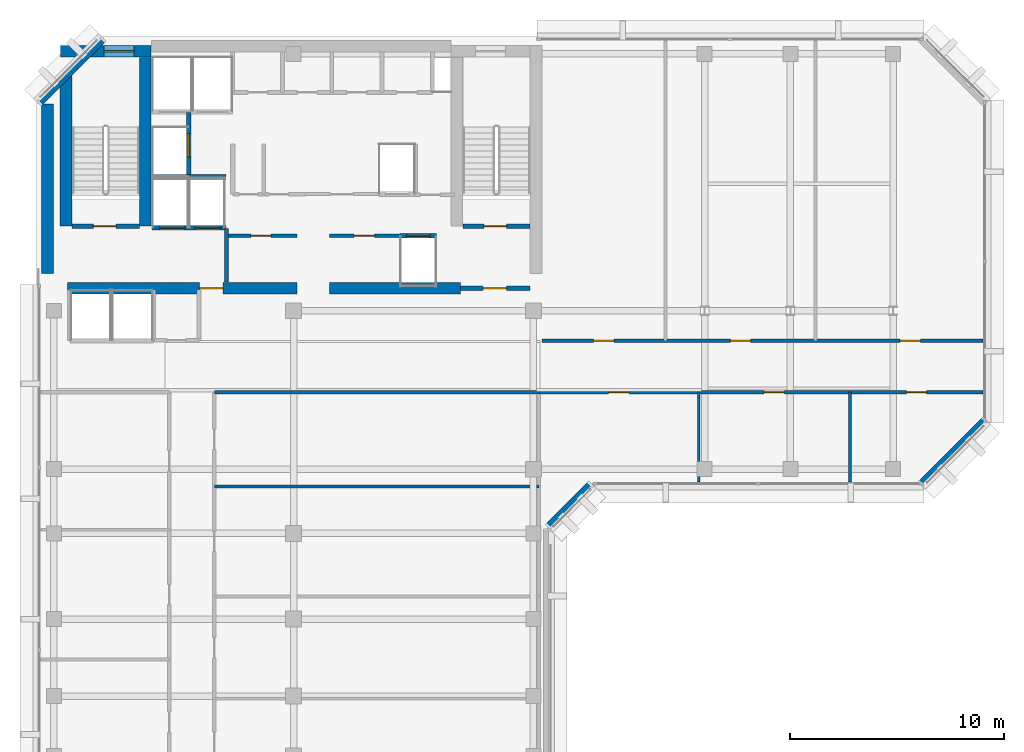
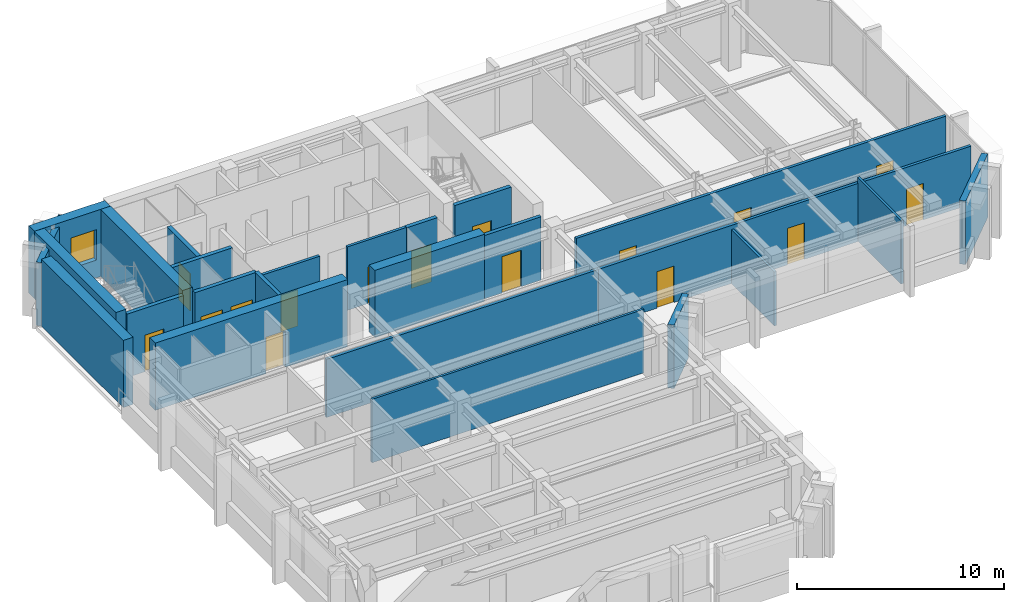
# One storey, part 7 of 12: 25 walls, 16 doors, 1 window, 17 openings.
"""IFC4 building model written with IfcOpenShell, lengths in metres."""

from ifc_helpers import new_model, si_unit, direction, frame, frame_2d, origin, place, context, subcontext, project, spatial, rectangle, extrude, material, layer, layer_set, type_object, element, fill, save


model = new_model("IFC4")

# Units and contexts
model_context = context("Model", 3, precision=1e-05, world=origin(), true_north=direction((0.0, 1.0)))
body_context = subcontext(model_context, "Body", "Model", "MODEL_VIEW")
ifc_project = project(units=[si_unit("LENGTHUNIT", "METRE"), si_unit("AREAUNIT", "SQUARE_METRE"), si_unit("VOLUMEUNIT", "CUBIC_METRE"), si_unit("PLANEANGLEUNIT", "RADIAN"), si_unit("MASSUNIT", "GRAM", prefix="KILO")], contexts=[model_context])

# Site, building, storey
site_placement = place(None, origin())
site = spatial("IfcSite", under=ifc_project, at=site_placement, CompositionType="ELEMENT")
building_placement = place(site_placement, origin())
building = spatial("IfcBuilding", under=site, at=building_placement, Name="Kefirva Bronze Tower", CompositionType="ELEMENT")
storey_placement = place(building_placement, frame((0.0, 0.0, 296.010009765625)))
storey = spatial("IfcBuildingStorey", under=building, at=storey_placement, Name="L72", CompositionType="ELEMENT", Elevation=296.010009765625)

# Walls
ifc_material_1 = material(Name="Gypsum acoustic partition")
ifc_layer_1 = layer(ifc_material_1, 0.1298828125, Name="Gypsum acoustic partition")
ifc_layer_set_1 = layer_set([ifc_layer_1], Name="Gypsum acoustic partition")
wall_type_1 = type_object("IfcWallType", Name="Acoustic Office Partition 130mm", PredefinedType="PARTITIONING", material=ifc_layer_set_1)
wall_1_placement = place(storey_placement, frame((8.300048828125, 24.99365234375, 0.0), z_axis=(0.0, 0.0, 1.0), x_axis=(1.0, 0.0, 0.0)))
element("IfcWall", 1, at=wall_1_placement, inside=storey, type_object=wall_type_1, Name="L72 Partition W-L72-SED3", PredefinedType="PARTITIONING", context=body_context, shape_type="SweptSolid", body=[
    extrude(rectangle(XDim=15.14990234375, YDim=0.1298828125, at=frame_2d((7.574951171875, 0.0))), origin(), (0.0, 0.0, 1.0), 3.739990234375),
])
wall_2_placement = place(storey_placement, frame((30.923583984375, 25.18994140625, 0.0), z_axis=(0.0, 0.0, 1.0), x_axis=(0.0, 1.0, 0.0)))
element("IfcWall", 2, at=wall_2_placement, inside=storey, type_object=wall_type_1, Name="L72 Partition W-L72-ESD1", PredefinedType="PARTITIONING", context=body_context, shape_type="SweptSolid", body=[
    extrude(rectangle(XDim=4.2099609375, YDim=0.1298828125, at=frame_2d((2.10498046875, 0.0))), origin(), (0.0, 0.0, 1.0), 3.175048828125),
])
wall_3_placement = place(storey_placement, frame((37.98193359375, 25.18994140625, 0.0), z_axis=(0.0, 0.0, 1.0), x_axis=(0.0, 1.0, 0.0)))
element("IfcWall", 3, at=wall_3_placement, inside=storey, type_object=wall_type_1, Name="L72 Partition W-L72-ESD2", PredefinedType="PARTITIONING", context=body_context, shape_type="SweptSolid", body=[
    extrude(rectangle(XDim=4.2099609375, YDim=0.1298828125, at=frame_2d((2.10498046875, 0.0))), origin(), (0.0, 0.0, 1.0), 3.739990234375),
])

# Wall, opening, door
ifc_layer_2 = layer(ifc_material_1, 0.14990234375, Name="Gypsum acoustic partition")
ifc_layer_set_2 = layer_set([ifc_layer_2], Name="Gypsum acoustic partition")
wall_type_2 = type_object("IfcWallType", Name="Executive Suite Partition 150mm", PredefinedType="PARTITIONING", material=ifc_layer_set_2)
wall_4_placement = place(storey_placement, frame((13.679931640625, 36.699951171875, 0.0), z_axis=(0.0, 0.0, 1.0), x_axis=(1.0, 0.0, 0.0)))
wall_4 = element("IfcWall", 4, at=wall_4_placement, inside=storey, type_object=wall_type_2, Name="L72 Partition W-L72-RECMP1", PredefinedType="PARTITIONING", context=body_context, shape_type="SweptSolid", body=[
    extrude(rectangle(XDim=3.280029296875, YDim=0.14990234375, at=frame_2d((1.64013671875, 0.0))), origin(), (0.0, 0.0, 1.0), 3.739990234375),
])
opening_1_placement = place(wall_4_placement, frame((1.14990234375, 0.0, 0.0)))
opening_1 = element("IfcOpeningElement", 5, at=opening_1_placement, cuts=wall_4, Name="Opening L72-D-RECMP1", PredefinedType="OPENING", context=body_context, shape_type="SweptSolid", body=[
    extrude(rectangle(XDim=0.949951171875, YDim=2.14990234375, at=frame_2d((0.47509765625, 1.074951171875))), frame((0.0, 0.0849609375, 0.0), z_axis=(0.0, -1.0, 0.0), x_axis=(1.0, 0.0, 0.0)), (0.0, 0.0, 1.0), 0.169921875),
])
ifc_material_2 = material(Name="Acoustic hardwood oak", Category="wood")
door_type_1 = type_object("IfcDoorType", Name="Office & Meeting Room Door 950x2150", OperationType="NOTDEFINED", PredefinedType="DOOR", material=ifc_material_2)
door_1_placement = place(opening_1_placement, origin())
door_1 = element("IfcDoor", 6, at=door_1_placement, inside=storey, type_object=door_type_1, Name="Door L72-D-RECMP1", OperationType="SINGLE_SWING_LEFT", OverallHeight=2.14990234375, OverallWidth=0.949951171875, PredefinedType="DOOR", context=body_context, shape_type="SweptSolid", body=[
    extrude(rectangle(XDim=0.949951171875, YDim=2.14990234375, at=frame_2d((0.47509765625, 1.074951171875))), frame((0.0, 0.02490234375, 0.0), z_axis=(0.0, -1.0, 0.0), x_axis=(1.0, 0.0, 0.0)), (0.0, 0.0, 1.0), 0.050048828125),
])
fill(opening_1, door_1)

ifc_material_3 = material(Name="Gypsum fireboard shaftwall")
ifc_layer_3 = layer(ifc_material_3, 0.219970703125, Name="Gypsum fireboard shaftwall")
ifc_layer_set_3 = layer_set([ifc_layer_3], Name="Gypsum fireboard shaftwall")
wall_type_3 = type_object("IfcWallType", Name="Fire-Rated Shaft Enclosure Wall 220mm", PredefinedType="PARTITIONING", material=ifc_layer_set_3)
wall_5_placement = place(storey_placement, frame((1.64990234375, 37.14990234375, 0.0), z_axis=(0.0, 0.0, 1.0), x_axis=(1.0, 0.0, 0.0)))
wall_5 = element("IfcWall", 7, at=wall_5_placement, inside=storey, type_object=wall_type_3, Name="L72 Partition W-L72-ST1S", PredefinedType="PARTITIONING", context=body_context, shape_type="SweptSolid", body=[
    extrude(rectangle(XDim=3.150146484375, YDim=0.219970703125, at=frame_2d((1.5751953125, 0.0))), origin(), (0.0, 0.0, 1.0), 3.739990234375),
])
opening_2_placement = place(wall_5_placement, frame((2.050048828125, 0.0, 0.0), z_axis=(0.0, 0.0, 1.0), x_axis=(-1.0, 0.0, 0.0)))
opening_2 = element("IfcOpeningElement", 8, at=opening_2_placement, cuts=wall_5, Name="Opening L72-D001", PredefinedType="OPENING", context=body_context, shape_type="SweptSolid", body=[
    extrude(rectangle(XDim=1.050048828125, YDim=2.14990234375, at=frame_2d((0.52490234375, 1.074951171875))), frame((0.0, 0.1201171875, 0.0), z_axis=(0.0, -1.0, 0.0), x_axis=(1.0, 0.0, 0.0)), (0.0, 0.0, 1.0), 0.239990234375),
])
ifc_material_4 = material(Name="Painted galvanized steel", Category="steel")
door_type_2 = type_object("IfcDoorType", Name="Fire Stair Enclosure Door 1050x2150 FD90S", OperationType="NOTDEFINED", PredefinedType="DOOR", material=ifc_material_4)
door_2_placement = place(opening_2_placement, origin())
door_2 = element("IfcDoor", 9, at=door_2_placement, inside=storey, type_object=door_type_2, Name="Door L72-D001", OperationType="SINGLE_SWING_RIGHT", OverallHeight=2.14990234375, OverallWidth=1.050048828125, PredefinedType="DOOR", context=body_context, shape_type="SweptSolid", body=[
    extrude(rectangle(XDim=1.050048828125, YDim=2.14990234375, at=frame_2d((0.52490234375, 1.074951171875))), frame((0.0, 0.02490234375, 0.0), z_axis=(0.0, -1.0, 0.0), x_axis=(1.0, 0.0, 0.0)), (0.0, 0.0, 1.0), 0.050048828125),
])
fill(opening_2, door_2)

wall_6_placement = place(storey_placement, frame((19.89990234375, 37.14990234375, 0.0), z_axis=(0.0, 0.0, 1.0), x_axis=(1.0, 0.0, 0.0)))
wall_6 = element("IfcWall", 10, at=wall_6_placement, inside=storey, type_object=wall_type_3, Name="L72 Partition W-L72-ST2S", PredefinedType="PARTITIONING", context=body_context, shape_type="SweptSolid", body=[
    extrude(rectangle(XDim=3.150146484375, YDim=0.219970703125, at=frame_2d((1.5751953125, 0.0))), origin(), (0.0, 0.0, 1.0), 3.739990234375),
])
opening_3_placement = place(wall_6_placement, frame((2.050048828125, 0.0, 0.0), z_axis=(0.0, 0.0, 1.0), x_axis=(-1.0, 0.0, 0.0)))
opening_3 = element("IfcOpeningElement", 11, at=opening_3_placement, cuts=wall_6, Name="Opening L72-D003", PredefinedType="OPENING", context=body_context, shape_type="SweptSolid", body=[
    extrude(rectangle(XDim=1.050048828125, YDim=2.14990234375, at=frame_2d((0.52490234375, 1.074951171875))), frame((0.0, 0.1201171875, 0.0), z_axis=(0.0, -1.0, 0.0), x_axis=(1.0, 0.0, 0.0)), (0.0, 0.0, 1.0), 0.239990234375),
])
door_3_placement = place(opening_3_placement, origin())
door_3 = element("IfcDoor", 12, at=door_3_placement, inside=storey, type_object=door_type_2, Name="Door L72-D003", OperationType="SINGLE_SWING_RIGHT", OverallHeight=2.14990234375, OverallWidth=1.050048828125, PredefinedType="DOOR", context=body_context, shape_type="SweptSolid", body=[
    extrude(rectangle(XDim=1.050048828125, YDim=2.14990234375, at=frame_2d((0.52490234375, 1.074951171875))), frame((0.0, 0.02490234375, 0.0), z_axis=(0.0, -1.0, 0.0), x_axis=(1.0, 0.0, 0.0)), (0.0, 0.0, 1.0), 0.050048828125),
])
fill(opening_3, door_3)

# Wall, openings, doors
wall_7_placement = place(storey_placement, frame((5.3798828125, 37.080078125, 0.0), z_axis=(0.0, 0.0, 1.0), x_axis=(1.0, 0.0, 0.0)))
wall_7 = element("IfcWall", 13, at=wall_7_placement, inside=storey, type_object=wall_type_3, Name="L72 Partition W-L72-FFS", PredefinedType="PARTITIONING", context=body_context, shape_type="SweptSolid", body=[
    extrude(rectangle(XDim=3.460205078125, YDim=0.219970703125, at=frame_2d((1.72998046875, 0.0))), origin(), (0.0, 0.0, 1.0), 3.739990234375),
])
opening_4_placement = place(wall_7_placement, frame((1.550048828125, 0.0, 0.0), z_axis=(0.0, 0.0, 1.0), x_axis=(-1.0, 0.0, 0.0)))
opening_4 = element("IfcOpeningElement", 14, at=opening_4_placement, cuts=wall_7, Name="Opening L72-LD-FF1", PredefinedType="OPENING", context=body_context, shape_type="SweptSolid", body=[
    extrude(rectangle(XDim=1.199951171875, YDim=2.199951171875, at=frame_2d((0.60009765625, 1.10009765625))), frame((0.0, 0.1201171875, 0.0), z_axis=(0.0, -1.0, 0.0), x_axis=(1.0, 0.0, 0.0)), (0.0, 0.0, 1.0), 0.239990234375),
])
opening_5_placement = place(wall_7_placement, frame((3.219970703125, 0.0, 0.0), z_axis=(0.0, 0.0, 1.0), x_axis=(-1.0, 0.0, 0.0)))
opening_5 = element("IfcOpeningElement", 15, at=opening_5_placement, cuts=wall_7, Name="Opening L72-LD-FF2", PredefinedType="OPENING", context=body_context, shape_type="SweptSolid", body=[
    extrude(rectangle(XDim=1.199951171875, YDim=2.199951171875, at=frame_2d((0.60009765625, 1.10009765625))), frame((0.0, 0.1201171875, 0.0), z_axis=(0.0, -1.0, 0.0), x_axis=(1.0, 0.0, 0.0)), (0.0, 0.0, 1.0), 0.239990234375),
])
ifc_material_5 = material(Name="Stainless steel 316", Category="steel")
door_type_3 = type_object("IfcDoorType", Name="Firefighting Lift Sliding Door 1200x2200", OperationType="SLIDING_TO_RIGHT", PredefinedType="DOOR", material=ifc_material_5)
door_4_placement = place(opening_4_placement, origin())
door_4 = element("IfcDoor", 16, at=door_4_placement, inside=storey, type_object=door_type_3, Name="Door L72-LD-FF1", OperationType="SLIDING_TO_RIGHT", OverallHeight=2.199951171875, OverallWidth=1.199951171875, PredefinedType="DOOR", context=body_context, shape_type="SweptSolid", body=[
    extrude(rectangle(XDim=1.199951171875, YDim=2.199951171875, at=frame_2d((0.60009765625, 1.10009765625))), frame((0.0, 0.02490234375, 0.0), z_axis=(0.0, -1.0, 0.0), x_axis=(1.0, 0.0, 0.0)), (0.0, 0.0, 1.0), 0.050048828125),
])
fill(opening_4, door_4)
door_5_placement = place(opening_5_placement, origin())
door_5 = element("IfcDoor", 17, at=door_5_placement, inside=storey, type_object=door_type_3, Name="Door L72-LD-FF2", OperationType="SLIDING_TO_RIGHT", OverallHeight=2.199951171875, OverallWidth=1.199951171875, PredefinedType="DOOR", context=body_context, shape_type="SweptSolid", body=[
    extrude(rectangle(XDim=1.199951171875, YDim=2.199951171875, at=frame_2d((0.60009765625, 1.10009765625))), frame((0.0, 0.02490234375, 0.0), z_axis=(0.0, -1.0, 0.0), x_axis=(1.0, 0.0, 0.0)), (0.0, 0.0, 1.0), 0.050048828125),
])
fill(opening_5, door_5)

# Wall
wall_8_placement = place(storey_placement, frame((5.3798828125, 39.449951171875, 0.0), z_axis=(0.0, 0.0, 1.0), x_axis=(1.0, 0.0, 0.0)))
element("IfcWall", 18, at=wall_8_placement, inside=storey, type_object=wall_type_3, Name="L72 Partition W-L72-FFN", PredefinedType="PARTITIONING", context=body_context, shape_type="SweptSolid", body=[
    extrude(rectangle(XDim=3.460205078125, YDim=0.219970703125, at=frame_2d((1.72998046875, 0.0))), origin(), (0.0, 0.0, 1.0), 3.739990234375),
])

# Wall, opening, door
wall_9_placement = place(storey_placement, frame((7.10009765625, 39.52001953125, 0.0), z_axis=(0.0, 0.0, 1.0), x_axis=(0.0, 1.0, 0.0)))
wall_9 = element("IfcWall", 19, at=wall_9_placement, inside=storey, type_object=wall_type_3, Name="L72 Partition W-L72-HP3E", PredefinedType="PARTITIONING", context=body_context, shape_type="SweptSolid", body=[
    extrude(rectangle(XDim=2.929931640625, YDim=0.219970703125, at=frame_2d((1.46484375, 0.0))), origin(), (0.0, 0.0, 1.0), 3.739990234375),
])
opening_6_placement = place(wall_9_placement, frame((0.85009765625, 0.0, 0.0)))
opening_6 = element("IfcOpeningElement", 20, at=opening_6_placement, cuts=wall_9, Name="Opening L72-LD-HP3", PredefinedType="OPENING", context=body_context, shape_type="SweptSolid", body=[
    extrude(rectangle(XDim=1.10009765625, YDim=2.199951171875, at=frame_2d((0.550048828125, 1.10009765625))), frame((0.0, 0.1201171875, 0.0), z_axis=(0.0, -1.0, 0.0), x_axis=(1.0, 0.0, 0.0)), (0.0, 0.0, 1.0), 0.239990234375),
])
door_type_4 = type_object("IfcDoorType", Name="Passenger Lift Sliding Landing Door 1100x2200", OperationType="SLIDING_TO_LEFT", PredefinedType="DOOR", material=ifc_material_5)
door_6_placement = place(opening_6_placement, origin())
door_6 = element("IfcDoor", 21, at=door_6_placement, inside=storey, type_object=door_type_4, Name="Door L72-LD-HP3", OperationType="SLIDING_TO_LEFT", OverallHeight=2.199951171875, OverallWidth=1.10009765625, PredefinedType="DOOR", context=body_context, shape_type="SweptSolid", body=[
    extrude(rectangle(XDim=1.10009765625, YDim=2.199951171875, at=frame_2d((0.550048828125, 1.10009765625))), frame((0.0, 0.02490234375, 0.0), z_axis=(0.0, -1.0, 0.0), x_axis=(1.0, 0.0, 0.0)), (0.0, 0.0, 1.0), 0.050048828125),
])
fill(opening_6, door_6)

wall_10_placement = place(storey_placement, frame((16.97998046875, 36.699951171875, 0.0), z_axis=(0.0, 0.0, 1.0), x_axis=(1.0, 0.0, 0.0)))
wall_10 = element("IfcWall", 22, at=wall_10_placement, inside=storey, type_object=wall_type_3, Name="L72 Partition W-L72-HPS", PredefinedType="PARTITIONING", context=body_context, shape_type="SweptSolid", body=[
    extrude(rectangle(XDim=1.699951171875, YDim=0.219970703125, at=frame_2d((0.85009765625, 0.0))), origin(), (0.0, 0.0, 1.0), 3.739990234375),
])
opening_7_placement = place(wall_10_placement, frame((0.300048828125, 0.0, 0.0)))
opening_7 = element("IfcOpeningElement", 23, at=opening_7_placement, cuts=wall_10, Name="Opening L72-LD-HP1", PredefinedType="OPENING", context=body_context, shape_type="SweptSolid", body=[
    extrude(rectangle(XDim=1.10009765625, YDim=2.199951171875, at=frame_2d((0.550048828125, 1.10009765625))), frame((0.0, 0.1201171875, 0.0), z_axis=(0.0, -1.0, 0.0), x_axis=(1.0, 0.0, 0.0)), (0.0, 0.0, 1.0), 0.239990234375),
])
door_7_placement = place(opening_7_placement, origin())
door_7 = element("IfcDoor", 24, at=door_7_placement, inside=storey, type_object=door_type_4, Name="Door L72-LD-HP1", OperationType="SLIDING_TO_LEFT", OverallHeight=2.199951171875, OverallWidth=1.10009765625, PredefinedType="DOOR", context=body_context, shape_type="SweptSolid", body=[
    extrude(rectangle(XDim=1.10009765625, YDim=2.199951171875, at=frame_2d((0.550048828125, 1.10009765625))), frame((0.0, 0.02490234375, 0.0), z_axis=(0.0, -1.0, 0.0), x_axis=(1.0, 0.0, 0.0)), (0.0, 0.0, 1.0), 0.050048828125),
])
fill(opening_7, door_7)

# Wall
ifc_material_6 = material(Name="Gypsum fireboard barrier")
ifc_layer_4 = layer(ifc_material_6, 0.199951171875, Name="Gypsum fireboard barrier")
ifc_layer_set_4 = layer_set([ifc_layer_4], Name="Gypsum fireboard barrier")
wall_type_4 = type_object("IfcWallType", Name="Firefighting Lobby Barrier Wall 200mm", PredefinedType="PARTITIONING", material=ifc_layer_set_4)
wall_11_placement = place(storey_placement, frame((8.860107421875, 34.550048828125, 0.0), z_axis=(0.0, 0.0, 1.0), x_axis=(0.0, 1.0, 0.0)))
element("IfcWall", 25, at=wall_11_placement, inside=storey, type_object=wall_type_4, Name="L72 Partition W-L72-FFLE", PredefinedType="PARTITIONING", context=body_context, shape_type="SweptSolid", body=[
    extrude(rectangle(XDim=2.5, YDim=0.199951171875, at=frame_2d((1.25, 0.0))), origin(), (0.0, 0.0, 1.0), 3.739990234375),
])

# Wall, opening, door
wall_12_placement = place(storey_placement, frame((19.800048828125, 34.25, 0.0), z_axis=(0.0, 0.0, 1.0), x_axis=(1.0, 0.0, 0.0)))
wall_12 = element("IfcWall", 26, at=wall_12_placement, inside=storey, type_object=wall_type_4, Name="L72 Partition W-L72-ST2F", PredefinedType="PARTITIONING", context=body_context, shape_type="SweptSolid", body=[
    extrude(rectangle(XDim=3.25, YDim=0.199951171875, at=frame_2d((1.625, 0.0))), origin(), (0.0, 0.0, 1.0), 3.739990234375),
])
opening_8_placement = place(wall_12_placement, frame((2.150146484375, 0.0, 0.0), z_axis=(0.0, 0.0, 1.0), x_axis=(-1.0, 0.0, 0.0)))
opening_8 = element("IfcOpeningElement", 27, at=opening_8_placement, cuts=wall_12, Name="Opening L72-D004", PredefinedType="OPENING", context=body_context, shape_type="SweptSolid", body=[
    extrude(rectangle(XDim=1.10009765625, YDim=2.14990234375, at=frame_2d((0.550048828125, 1.074951171875))), frame((0.0, 0.10986328125, 0.0), z_axis=(0.0, -1.0, 0.0), x_axis=(1.0, 0.0, 0.0)), (0.0, 0.0, 1.0), 0.219970703125),
])
door_type_5 = type_object("IfcDoorType", Name="Firefighting Lobby Smoke Door 1100x2150 FD60S", OperationType="NOTDEFINED", PredefinedType="DOOR", material=ifc_material_4)
door_8_placement = place(opening_8_placement, origin())
door_8 = element("IfcDoor", 28, at=door_8_placement, inside=storey, type_object=door_type_5, Name="Door L72-D004", OperationType="SINGLE_SWING_LEFT", OverallHeight=2.14990234375, OverallWidth=1.10009765625, PredefinedType="DOOR", context=body_context, shape_type="SweptSolid", body=[
    extrude(rectangle(XDim=1.10009765625, YDim=2.14990234375, at=frame_2d((0.550048828125, 1.074951171875))), frame((0.0, 0.02490234375, 0.0), z_axis=(0.0, -1.0, 0.0), x_axis=(1.0, 0.0, 0.0)), (0.0, 0.0, 1.0), 0.050048828125),
])
fill(opening_8, door_8)

# Walls
ifc_material_7 = material(Name="Precast concrete C40/50", Category="concrete")
ifc_layer_5 = layer(ifc_material_7, 0.320068359375, Name="Precast concrete C40/50")
ifc_layer_set_5 = layer_set([ifc_layer_5], Name="Precast concrete C40/50")
wall_type_5 = type_object("IfcWallType", Name="Precast Insulated Exterior Wall 320mm", PredefinedType="SOLIDWALL", material=ifc_layer_set_5)
wall_13_placement = place(storey_placement, frame((23.92578125, 23.152099609375, 0.0), z_axis=(0.0, 0.0, 1.0), x_axis=(0.707106781187, 0.707106781187, 0.0)))
element("IfcWall", 29, at=wall_13_placement, inside=storey, type_object=wall_type_5, Name="L72 Exterior Facade Wall 6", PredefinedType="SOLIDWALL", context=body_context, shape_type="SweptSolid", body=[
    extrude(rectangle(XDim=2.71826171875, YDim=0.320068359375, at=frame_2d((1.359130859375, 0.0))), origin(), (0.0, 0.0, 1.0), 3.739990234375),
])
for number, where, z_axis, x_axis, name in (
    (30, (41.32568359375, 25.152099609375, 0.0), (0.0, 0.0, 1.0), (0.707136318428, 0.707077242712, 0.0), "L72 Exterior Facade Wall 7"),
    (31, (3.07421875, 45.847900390625, 0.0), (0.0, 0.0, 1.0), (-0.707106781187, -0.707106781187, 0.0), "L72 Exterior Facade Wall 9"),
):
    element("IfcWall", number, at=place(storey_placement, frame(where, z_axis=z_axis, x_axis=x_axis)), inside=storey, type_object=wall_type_5, Name=name, PredefinedType="SOLIDWALL", context=body_context, shape_type="SweptSolid", body=[
        extrude(rectangle(XDim=4.132568359375, YDim=0.320068359375, at=frame_2d((2.06640625, 0.0))), origin(), (0.0, 0.0, 1.0), 3.739990234375),
    ])

# Wall, opening, door
ifc_layer_6 = layer(ifc_material_1, 0.159912109375, Name="Gypsum acoustic partition")
ifc_layer_set_6 = layer_set([ifc_layer_6], Name="Gypsum acoustic partition")
wall_type_6 = type_object("IfcWallType", Name="Protected Corridor Partition 160mm", PredefinedType="PARTITIONING", material=ifc_layer_set_6)
wall_14_placement = place(storey_placement, frame((8.89990234375, 36.699951171875, 0.0), z_axis=(0.0, 0.0, 1.0), x_axis=(1.0, 0.0, 0.0)))
wall_14 = element("IfcWall", 32, at=wall_14_placement, inside=storey, type_object=wall_type_6, Name="L72 Partition W-L72-RECLP1", PredefinedType="PARTITIONING", context=body_context, shape_type="SweptSolid", body=[
    extrude(rectangle(XDim=3.25, YDim=0.159912109375, at=frame_2d((1.625, 0.0))), origin(), (0.0, 0.0, 1.0), 3.739990234375),
])
opening_9_placement = place(wall_14_placement, frame((1.10009765625, 0.0, 0.0)))
opening_9 = element("IfcOpeningElement", 33, at=opening_9_placement, cuts=wall_14, Name="Opening L72-D-RECLP1", PredefinedType="OPENING", context=body_context, shape_type="SweptSolid", body=[
    extrude(rectangle(XDim=0.949951171875, YDim=2.14990234375, at=frame_2d((0.47509765625, 1.074951171875))), frame((0.0, 0.08984375, 0.0), z_axis=(0.0, -1.0, 0.0), x_axis=(1.0, 0.0, 0.0)), (0.0, 0.0, 1.0), 0.179931640625),
])
door_9_placement = place(opening_9_placement, origin())
door_9 = element("IfcDoor", 34, at=door_9_placement, inside=storey, type_object=door_type_1, Name="Door L72-D-RECLP1", OperationType="SINGLE_SWING_RIGHT", OverallHeight=2.14990234375, OverallWidth=0.949951171875, PredefinedType="DOOR", context=body_context, shape_type="SweptSolid", body=[
    extrude(rectangle(XDim=0.949951171875, YDim=2.14990234375, at=frame_2d((0.47509765625, 1.074951171875))), frame((0.0, 0.02490234375, 0.0), z_axis=(0.0, -1.0, 0.0), x_axis=(1.0, 0.0, 0.0)), (0.0, 0.0, 1.0), 0.050048828125),
])
fill(opening_9, door_9)

# Wall
wall_15_placement = place(storey_placement, frame((8.300048828125, 29.39990234375, 0.0), z_axis=(0.0, 0.0, 1.0), x_axis=(1.0, 0.0, 0.0)))
element("IfcWall", 35, at=wall_15_placement, inside=storey, type_object=wall_type_6, Name="L72 Partition W-L72-NET", PredefinedType="PARTITIONING", context=body_context, shape_type="SweptSolid", body=[
    extrude(rectangle(XDim=15.14990234375, YDim=0.159912109375, at=frame_2d((7.574951171875, 0.0))), origin(), (0.0, 0.0, 1.0), 3.425048828125),
])

# Wall, openings, doors
wall_16_placement = place(storey_placement, frame((23.449951171875, 29.39990234375, 0.0), z_axis=(0.0, 0.0, 1.0), x_axis=(1.0, 0.0, 0.0)))
wall_16 = element("IfcWall", 36, at=wall_16_placement, inside=storey, type_object=wall_type_6, Name="L72 Partition W-L72-EWS", PredefinedType="PARTITIONING", context=body_context, shape_type="SweptSolid", body=[
    extrude(rectangle(XDim=20.760009765625, YDim=0.159912109375, at=frame_2d((10.3798828125, 0.0))), origin(), (0.0, 0.0, 1.0), 3.425048828125),
])
opening_10_placement = place(wall_16_placement, frame((4.211669921875, 0.0, 0.0), z_axis=(0.0, 0.0, 1.0), x_axis=(-1.0, 0.0, 0.0)))
opening_10 = element("IfcOpeningElement", 37, at=opening_10_placement, cuts=wall_16, Name="Opening L72-D-ES1", PredefinedType="OPENING", context=body_context, shape_type="SweptSolid", body=[
    extrude(rectangle(XDim=0.949951171875, YDim=2.14990234375, at=frame_2d((0.47509765625, 1.074951171875))), frame((0.0, 0.08984375, 0.0), z_axis=(0.0, -1.0, 0.0), x_axis=(1.0, 0.0, 0.0)), (0.0, 0.0, 1.0), 0.179931640625),
])
opening_11_placement = place(wall_16_placement, frame((11.477783203125, 0.0, 0.0), z_axis=(0.0, 0.0, 1.0), x_axis=(-1.0, 0.0, 0.0)))
opening_11 = element("IfcOpeningElement", 38, at=opening_11_placement, cuts=wall_16, Name="Opening L72-D-ES2", PredefinedType="OPENING", context=body_context, shape_type="SweptSolid", body=[
    extrude(rectangle(XDim=0.949951171875, YDim=2.14990234375, at=frame_2d((0.47509765625, 1.074951171875))), frame((0.0, 0.08984375, 0.0), z_axis=(0.0, -1.0, 0.0), x_axis=(1.0, 0.0, 0.0)), (0.0, 0.0, 1.0), 0.179931640625),
])
opening_12_placement = place(wall_16_placement, frame((18.120849609375, 0.0, 0.0), z_axis=(0.0, 0.0, 1.0), x_axis=(-1.0, 0.0, 0.0)))
opening_12 = element("IfcOpeningElement", 39, at=opening_12_placement, cuts=wall_16, Name="Opening L72-D-ES3", PredefinedType="OPENING", context=body_context, shape_type="SweptSolid", body=[
    extrude(rectangle(XDim=0.949951171875, YDim=2.14990234375, at=frame_2d((0.47509765625, 1.074951171875))), frame((0.0, 0.08984375, 0.0), z_axis=(0.0, -1.0, 0.0), x_axis=(1.0, 0.0, 0.0)), (0.0, 0.0, 1.0), 0.179931640625),
])
door_10_placement = place(opening_10_placement, origin())
door_10 = element("IfcDoor", 40, at=door_10_placement, inside=storey, type_object=door_type_1, Name="Door L72-D-ES1", OperationType="SINGLE_SWING_LEFT", OverallHeight=2.14990234375, OverallWidth=0.949951171875, PredefinedType="DOOR", context=body_context, shape_type="SweptSolid", body=[
    extrude(rectangle(XDim=0.949951171875, YDim=2.14990234375, at=frame_2d((0.47509765625, 1.074951171875))), frame((0.0, 0.02490234375, 0.0), z_axis=(0.0, -1.0, 0.0), x_axis=(1.0, 0.0, 0.0)), (0.0, 0.0, 1.0), 0.050048828125),
])
fill(opening_10, door_10)
door_11_placement = place(opening_11_placement, origin())
door_11 = element("IfcDoor", 41, at=door_11_placement, inside=storey, type_object=door_type_1, Name="Door L72-D-ES2", OperationType="SINGLE_SWING_RIGHT", OverallHeight=2.14990234375, OverallWidth=0.949951171875, PredefinedType="DOOR", context=body_context, shape_type="SweptSolid", body=[
    extrude(rectangle(XDim=0.949951171875, YDim=2.14990234375, at=frame_2d((0.47509765625, 1.074951171875))), frame((0.0, 0.02490234375, 0.0), z_axis=(0.0, -1.0, 0.0), x_axis=(1.0, 0.0, 0.0)), (0.0, 0.0, 1.0), 0.050048828125),
])
fill(opening_11, door_11)
door_12_placement = place(opening_12_placement, origin())
door_12 = element("IfcDoor", 42, at=door_12_placement, inside=storey, type_object=door_type_1, Name="Door L72-D-ES3", OperationType="SINGLE_SWING_LEFT", OverallHeight=2.14990234375, OverallWidth=0.949951171875, PredefinedType="DOOR", context=body_context, shape_type="SweptSolid", body=[
    extrude(rectangle(XDim=0.949951171875, YDim=2.14990234375, at=frame_2d((0.47509765625, 1.074951171875))), frame((0.0, 0.02490234375, 0.0), z_axis=(0.0, -1.0, 0.0), x_axis=(1.0, 0.0, 0.0)), (0.0, 0.0, 1.0), 0.050048828125),
])
fill(opening_12, door_12)

wall_17_placement = place(storey_placement, frame((23.60009765625, 31.800048828125, 0.0), z_axis=(0.0, 0.0, 1.0), x_axis=(1.0, 0.0, 0.0)))
wall_17 = element("IfcWall", 43, at=wall_17_placement, inside=storey, type_object=wall_type_6, Name="L72 Partition W-L72-EWN", PredefinedType="PARTITIONING", context=body_context, shape_type="SweptSolid", body=[
    extrude(rectangle(XDim=20.60986328125, YDim=0.159912109375, at=frame_2d((10.304931640625, 0.0))), origin(), (0.0, 0.0, 1.0), 3.739990234375),
])
opening_13_placement = place(wall_17_placement, frame((2.410400390625, 0.0, 0.0)))
opening_13 = element("IfcOpeningElement", 44, at=opening_13_placement, cuts=wall_17, Name="Opening L72-D-EN1", PredefinedType="OPENING", context=body_context, shape_type="SweptSolid", body=[
    extrude(rectangle(XDim=0.949951171875, YDim=2.14990234375, at=frame_2d((0.47509765625, 1.074951171875))), frame((0.0, 0.08984375, 0.0), z_axis=(0.0, -1.0, 0.0), x_axis=(1.0, 0.0, 0.0)), (0.0, 0.0, 1.0), 0.179931640625),
])
opening_14_placement = place(wall_17_placement, frame((8.799560546875, 0.0, 0.0)))
opening_14 = element("IfcOpeningElement", 45, at=opening_14_placement, cuts=wall_17, Name="Opening L72-D-EN2", PredefinedType="OPENING", context=body_context, shape_type="SweptSolid", body=[
    extrude(rectangle(XDim=0.949951171875, YDim=2.14990234375, at=frame_2d((0.47509765625, 1.074951171875))), frame((0.0, 0.08984375, 0.0), z_axis=(0.0, -1.0, 0.0), x_axis=(1.0, 0.0, 0.0)), (0.0, 0.0, 1.0), 0.179931640625),
])
opening_15_placement = place(wall_17_placement, frame((16.718994140625, 0.0, 0.0)))
opening_15 = element("IfcOpeningElement", 46, at=opening_15_placement, cuts=wall_17, Name="Opening L72-D-EN3", PredefinedType="OPENING", context=body_context, shape_type="SweptSolid", body=[
    extrude(rectangle(XDim=0.949951171875, YDim=2.14990234375, at=frame_2d((0.47509765625, 1.074951171875))), frame((0.0, 0.08984375, 0.0), z_axis=(0.0, -1.0, 0.0), x_axis=(1.0, 0.0, 0.0)), (0.0, 0.0, 1.0), 0.179931640625),
])
door_13_placement = place(opening_13_placement, origin())
door_13 = element("IfcDoor", 47, at=door_13_placement, inside=storey, type_object=door_type_1, Name="Door L72-D-EN1", OperationType="SINGLE_SWING_RIGHT", OverallHeight=2.14990234375, OverallWidth=0.949951171875, PredefinedType="DOOR", context=body_context, shape_type="SweptSolid", body=[
    extrude(rectangle(XDim=0.949951171875, YDim=2.14990234375, at=frame_2d((0.47509765625, 1.074951171875))), frame((0.0, 0.02490234375, 0.0), z_axis=(0.0, -1.0, 0.0), x_axis=(1.0, 0.0, 0.0)), (0.0, 0.0, 1.0), 0.050048828125),
])
fill(opening_13, door_13)
door_14_placement = place(opening_14_placement, origin())
door_14 = element("IfcDoor", 48, at=door_14_placement, inside=storey, type_object=door_type_1, Name="Door L72-D-EN2", OperationType="SINGLE_SWING_LEFT", OverallHeight=2.14990234375, OverallWidth=0.949951171875, PredefinedType="DOOR", context=body_context, shape_type="SweptSolid", body=[
    extrude(rectangle(XDim=0.949951171875, YDim=2.14990234375, at=frame_2d((0.47509765625, 1.074951171875))), frame((0.0, 0.02490234375, 0.0), z_axis=(0.0, -1.0, 0.0), x_axis=(1.0, 0.0, 0.0)), (0.0, 0.0, 1.0), 0.050048828125),
])
fill(opening_14, door_14)
door_15_placement = place(opening_15_placement, origin())
door_15 = element("IfcDoor", 49, at=door_15_placement, inside=storey, type_object=door_type_1, Name="Door L72-D-EN3", OperationType="SINGLE_SWING_RIGHT", OverallHeight=2.14990234375, OverallWidth=0.949951171875, PredefinedType="DOOR", context=body_context, shape_type="SweptSolid", body=[
    extrude(rectangle(XDim=0.949951171875, YDim=2.14990234375, at=frame_2d((0.47509765625, 1.074951171875))), frame((0.0, 0.02490234375, 0.0), z_axis=(0.0, -1.0, 0.0), x_axis=(1.0, 0.0, 0.0)), (0.0, 0.0, 1.0), 0.050048828125),
])
fill(opening_15, door_15)

# Wall
ifc_material_8 = material(Name="Concrete C50/60", Category="concrete")
ifc_layer_7 = layer(ifc_material_8, 0.550048828125, Name="Concrete C50/60")
ifc_layer_set_7 = layer_set([ifc_layer_7], Name="Concrete C50/60")
wall_type_7 = type_object("IfcWallType", Name="RC Rear Core Exterior Wall 550mm", PredefinedType="SHEAR", material=ifc_layer_set_7)
wall_18_placement = place(storey_placement, frame((0.5, 34.949951171875, 0.0), z_axis=(0.0, 0.0, 1.0), x_axis=(0.0, 1.0, 0.0)))
element("IfcWall", 50, at=wall_18_placement, inside=storey, type_object=wall_type_7, Name="L72 Rear Core West Shear Wall", PredefinedType="SHEAR", context=body_context, shape_type="SweptSolid", body=[
    extrude(rectangle(XDim=7.900146484375, YDim=0.550048828125, at=frame_2d((3.9501953125, 0.0))), origin(), (0.0, 0.0, 1.0), 3.9599609375),
])

# Wall, opening, window
wall_19_placement = place(storey_placement, frame((1.10009765625, 45.320068359375, 0.0), z_axis=(0.0, 0.0, 1.0), x_axis=(1.0, 0.0, 0.0)))
wall_19 = element("IfcWall", 51, at=wall_19_placement, inside=storey, type_object=wall_type_7, Name="L72 Stair 1 North Shear Wall", PredefinedType="SHEAR", context=body_context, shape_type="SweptSolid", body=[
    extrude(rectangle(XDim=4.239990234375, YDim=0.550048828125, at=frame_2d((2.1201171875, 0.0))), origin(), (0.0, 0.0, 1.0), 3.9599609375),
])
opening_16_placement = place(wall_19_placement, frame((2.050048828125, 0.0, 1.050048828125)))
opening_16 = element("IfcOpeningElement", 52, at=opening_16_placement, cuts=wall_19, Name="Opening WN-03", PredefinedType="OPENING", context=body_context, shape_type="SweptSolid", body=[
    extrude(rectangle(XDim=1.39990234375, YDim=1.800048828125, at=frame_2d((0.699951171875, 0.89990234375))), frame((0.0, 0.28515625, 0.0), z_axis=(0.0, -1.0, 0.0), x_axis=(1.0, 0.0, 0.0)), (0.0, 0.0, 1.0), 0.570068359375),
])
ifc_material_9 = material(Name="Laminated low-E double glazing", Category="glass")
window_type = type_object("IfcWindowType", Name="Rear-Core Stair Daylight Window 1400x1800", PartitioningType="SINGLE_PANEL", PredefinedType="WINDOW", material=ifc_material_9)
window_placement = place(opening_16_placement, origin())
window = element("IfcWindow", 53, at=window_placement, inside=storey, type_object=window_type, Name="L72 Stair 1 Daylight Window", OverallHeight=1.800048828125, OverallWidth=1.39990234375, PartitioningType="SINGLE_PANEL", PredefinedType="WINDOW", context=body_context, shape_type="SweptSolid", body=[
    extrude(rectangle(XDim=1.39990234375, YDim=1.800048828125, at=frame_2d((0.699951171875, 0.89990234375))), frame((0.0, 0.030029296875, 0.0), z_axis=(0.0, -1.0, 0.0), x_axis=(1.0, 0.0, 0.0)), (0.0, 0.0, 1.0), 0.06005859375),
])
fill(opening_16, window)

# Wall, opening, door
ifc_layer_8 = layer(ifc_material_8, 0.550048828125, Name="Concrete C50/60")
ifc_layer_set_8 = layer_set([ifc_layer_8], Name="Concrete C50/60")
wall_type_8 = type_object("IfcWallType", Name="RC Rear Core Interior Wall 550mm", PredefinedType="SHEAR", material=ifc_layer_set_8)
wall_20_placement = place(storey_placement, frame((1.449951171875, 34.25, 0.0), z_axis=(0.0, 0.0, 1.0), x_axis=(1.0, 0.0, 0.0)))
wall_20 = element("IfcWall", 54, at=wall_20_placement, inside=storey, type_object=wall_type_8, Name="L72 Rear Core South-West Shear Wall", PredefinedType="SHEAR", context=body_context, shape_type="SweptSolid", body=[
    extrude(rectangle(XDim=10.7099609375, YDim=0.550048828125, at=frame_2d((5.35498046875, 0.0))), origin(), (0.0, 0.0, 1.0), 3.9599609375),
])
opening_17_placement = place(wall_20_placement, frame((7.25, 0.0, 0.0), z_axis=(0.0, 0.0, 1.0), x_axis=(-1.0, 0.0, 0.0)))
opening_17 = element("IfcOpeningElement", 55, at=opening_17_placement, cuts=wall_20, Name="Opening L72-D002", PredefinedType="OPENING", context=body_context, shape_type="SweptSolid", body=[
    extrude(rectangle(XDim=1.10009765625, YDim=2.14990234375, at=frame_2d((0.550048828125, 1.074951171875))), frame((0.0, 0.28515625, 0.0), z_axis=(0.0, -1.0, 0.0), x_axis=(1.0, 0.0, 0.0)), (0.0, 0.0, 1.0), 0.570068359375),
])
door_16_placement = place(opening_17_placement, origin())
door_16 = element("IfcDoor", 56, at=door_16_placement, inside=storey, type_object=door_type_5, Name="Door L72-D002", OperationType="SINGLE_SWING_LEFT", OverallHeight=2.14990234375, OverallWidth=1.10009765625, PredefinedType="DOOR", context=body_context, shape_type="SweptSolid", body=[
    extrude(rectangle(XDim=1.10009765625, YDim=2.14990234375, at=frame_2d((0.550048828125, 1.074951171875))), frame((0.0, 0.02490234375, 0.0), z_axis=(0.0, -1.0, 0.0), x_axis=(1.0, 0.0, 0.0)), (0.0, 0.0, 1.0), 0.050048828125),
])
fill(opening_17, door_16)

# Walls
wall_21_placement = place(storey_placement, frame((13.679931640625, 34.25, 0.0), z_axis=(0.0, 0.0, 1.0), x_axis=(1.0, 0.0, 0.0)))
element("IfcWall", 57, at=wall_21_placement, inside=storey, type_object=wall_type_8, Name="L72 Rear Core South-East Shear Wall", PredefinedType="SHEAR", context=body_context, shape_type="SweptSolid", body=[
    extrude(rectangle(XDim=6.1201171875, YDim=0.550048828125, at=frame_2d((3.06005859375, 0.0))), origin(), (0.0, 0.0, 1.0), 3.9599609375),
])
for number, where, z_axis, x_axis, name in (
    (58, (1.3701171875, 37.14990234375, 0.0), (0.0, 0.0, 1.0), (0.0, 1.0, 0.0), "L72 Stair 1 West Shear Wall"),
    (59, (5.070068359375, 37.14990234375, 0.0), (0.0, 0.0, 1.0), (0.0, 1.0, 0.0), "L72 Stair 1 East Shear Wall"),
):
    element("IfcWall", number, at=place(storey_placement, frame(where, z_axis=z_axis, x_axis=x_axis)), inside=storey, type_object=wall_type_8, Name=name, PredefinedType="SHEAR", context=body_context, shape_type="SweptSolid", body=[
        extrude(rectangle(XDim=7.89013671875, YDim=0.550048828125, at=frame_2d((3.945068359375, 0.0))), origin(), (0.0, 0.0, 1.0), 3.9599609375),
    ])

save(model, "model.ifc")
